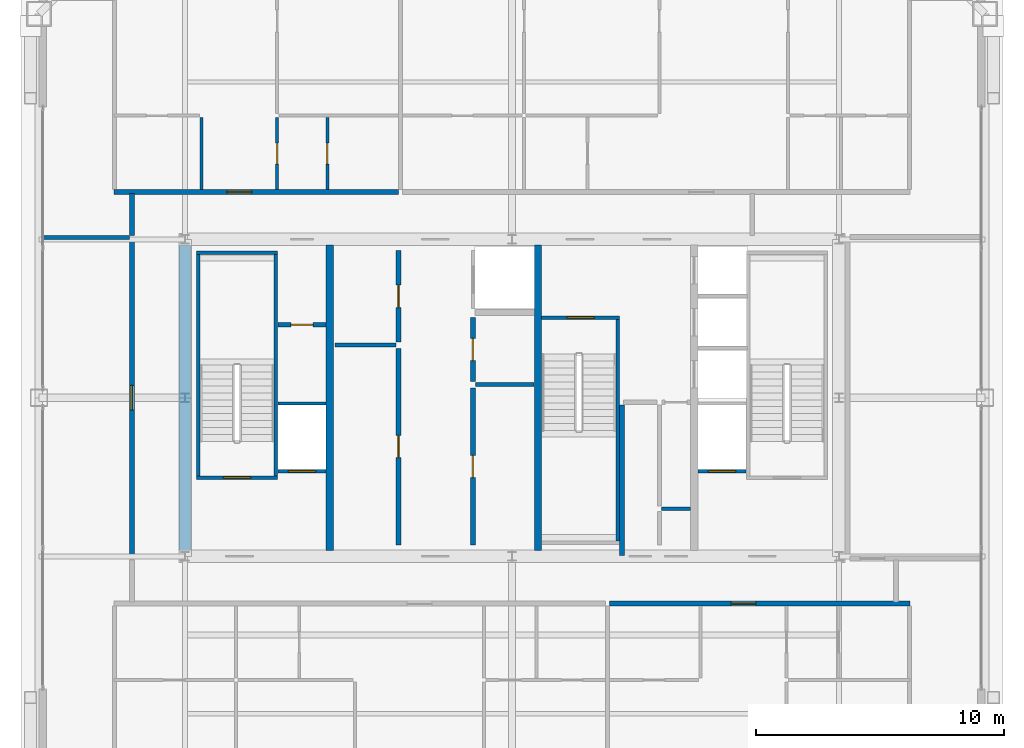
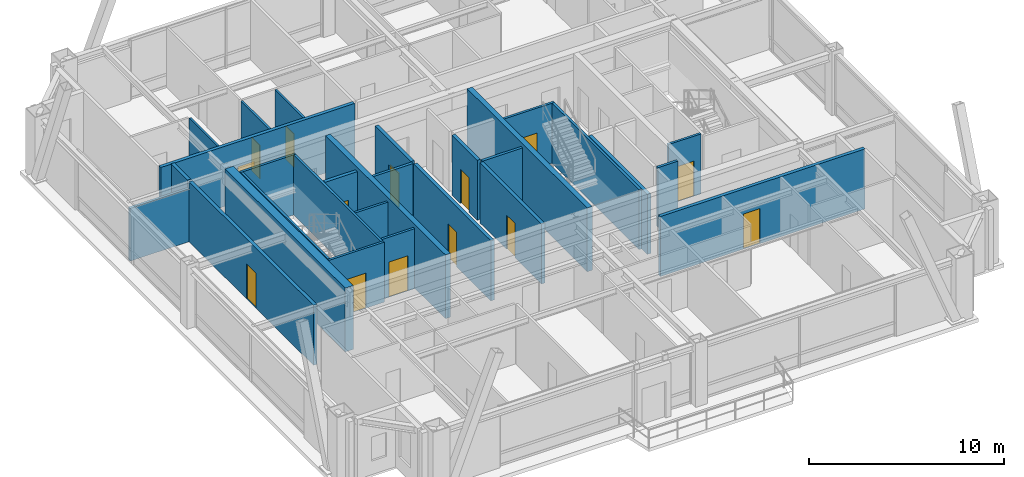
# One storey, part 31 of 35: 29 walls, 14 doors, 14 openings.
"""IFC4 building model written with IfcOpenShell, lengths in metres."""

from ifc_helpers import new_model, si_unit, direction, frame, frame_2d, origin, place, context, subcontext, project, spatial, rectangle, extrude, source, transform, mapped, material, layer, layer_set, type_object, element, fill, save


model = new_model("IFC4")

# Units and contexts
model_context = context("Model", 3, precision=1e-05, world=origin(), true_north=direction((0.0, 1.0)))
body_context = subcontext(model_context, "Body", "Model", "MODEL_VIEW")
ifc_project = project(units=[si_unit("LENGTHUNIT", "METRE"), si_unit("AREAUNIT", "SQUARE_METRE"), si_unit("VOLUMEUNIT", "CUBIC_METRE"), si_unit("PLANEANGLEUNIT", "RADIAN"), si_unit("MASSUNIT", "GRAM", prefix="KILO"), si_unit("THERMODYNAMICTEMPERATUREUNIT", "KELVIN"), si_unit("POWERUNIT", "WATT")], contexts=[model_context])

# Site, building, storey
site_placement = place(None, origin())
site = spatial("IfcSite", under=ifc_project, at=site_placement, CompositionType="ELEMENT")
building_placement = place(site_placement, origin())
building = spatial("IfcBuilding", under=site, at=building_placement, Name="Yuzanri Waterfront Tower", CompositionType="ELEMENT")
storey_placement = place(building_placement, frame((0.0, 0.0, 343.199951171875)))
storey = spatial("IfcBuildingStorey", under=building, at=storey_placement, Name="L92", CompositionType="ELEMENT", Elevation=343.199951171875)

# Wall, opening, door
ifc_material_1 = material(Name="Moisture-Resistant Gypsum Stud Wall", Category="gypsum")
ifc_layer_1 = layer(ifc_material_1, 0.1201171875)
ifc_layer_set_1 = layer_set([ifc_layer_1], Name="Moisture-Resistant Gypsum Stud Wall")
wall_type_1 = type_object("IfcWallType", Name="Bathroom and Kitchen Wet Partition 120", PredefinedType="PARTITIONING", material=ifc_layer_set_1)
wall_1_placement = place(storey_placement, frame((29.54296875, 34.2099609375, 0.0), z_axis=(0.0, 0.0, 1.0), x_axis=(0.0, 1.0, 0.0)))
wall_1 = element("IfcWall", 1, at=wall_1_placement, inside=storey, type_object=wall_type_1, Name="L92 Partition UW-L92-HN1-SUB-2-W", PredefinedType="PARTITIONING", context=body_context, shape_type="SweptSolid", body=[
    extrude(rectangle(XDim=2.900146484375, YDim=0.1201171875, at=frame_2d((1.4501953125, 0.0))), origin(), (0.0, 0.0, 1.0), 3.760009765625),
])
opening_1_placement = place(wall_1_placement, frame((1.02490234375, 0.0, 0.0)))
opening_1 = element("IfcOpeningElement", 2, at=opening_1_placement, cuts=wall_1, Name="Opening ID-0850", PredefinedType="OPENING", context=body_context, shape_type="SweptSolid", body=[
    extrude(rectangle(XDim=0.85009765625, YDim=2.10009765625, at=frame_2d((0.425048828125, 1.050048828125))), frame((0.0, 0.074951171875, 0.0), z_axis=(0.0, -1.0, 0.0), x_axis=(1.0, 0.0, 0.0)), (0.0, 0.0, 1.0), 0.14990234375),
])
ifc_material_2 = material(Name="Moisture-Resistant Lacquered Timber", Category="wood")
door_type_1 = type_object("IfcDoorType", Name="En-Suite Bathroom and Kitchen Swing Door 850x2100", OperationType="NOTDEFINED", PredefinedType="DOOR", material=ifc_material_2)
shared_shape_1 = source(origin(), body_context, "Body", "SweptSolid", [
    extrude(rectangle(XDim=0.85009765625, YDim=2.10009765625, at=frame_2d((0.425048828125, 1.050048828125))), frame((0.0, 0.02490234375, 0.0), z_axis=(0.0, -1.0, 0.0), x_axis=(1.0, 0.0, 0.0)), (0.0, 0.0, 1.0), 0.050048828125),
])
door_1_placement = place(opening_1_placement, origin())
door_1 = element("IfcDoor", 3, at=door_1_placement, inside=storey, type_object=door_type_1, Name="L92 Suite Interior Room Door", OperationType="SINGLE_SWING_LEFT", OverallHeight=2.10009765625, OverallWidth=0.85009765625, PredefinedType="DOOR", context=body_context, shape_type="MappedRepresentation", body=[
    mapped(shared_shape_1, transform((0.0, 0.0, 0.0), scale=1.0)),
])
fill(opening_1, door_1)

wall_2_placement = place(storey_placement, frame((27.52001953125, 34.2099609375, 0.0), z_axis=(0.0, 0.0, 1.0), x_axis=(0.0, 1.0, 0.0)))
wall_2 = element("IfcWall", 4, at=wall_2_placement, inside=storey, type_object=wall_type_1, Name="L92 Partition UW-L92-HN1-SUB-4-W", PredefinedType="PARTITIONING", context=body_context, shape_type="SweptSolid", body=[
    extrude(rectangle(XDim=2.900146484375, YDim=0.1201171875, at=frame_2d((1.4501953125, 0.0))), origin(), (0.0, 0.0, 1.0), 3.760009765625),
])
opening_2_placement = place(wall_2_placement, frame((1.02490234375, 0.0, 0.0)))
opening_2 = element("IfcOpeningElement", 5, at=opening_2_placement, cuts=wall_2, Name="Opening ID-0850", PredefinedType="OPENING", context=body_context, shape_type="SweptSolid", body=[
    extrude(rectangle(XDim=0.85009765625, YDim=2.10009765625, at=frame_2d((0.425048828125, 1.050048828125))), frame((0.0, 0.074951171875, 0.0), z_axis=(0.0, -1.0, 0.0), x_axis=(1.0, 0.0, 0.0)), (0.0, 0.0, 1.0), 0.14990234375),
])
door_2_placement = place(opening_2_placement, origin())
door_2 = element("IfcDoor", 6, at=door_2_placement, inside=storey, type_object=door_type_1, Name="L92 Suite Interior Room Door", OperationType="SINGLE_SWING_LEFT", OverallHeight=2.10009765625, OverallWidth=0.85009765625, PredefinedType="DOOR", context=body_context, shape_type="MappedRepresentation", body=[
    mapped(shared_shape_1, transform((0.0, 0.0, 0.0), scale=1.0)),
])
fill(opening_2, door_2)

ifc_material_3 = material(Name="Concrete C40", Category="concrete")
ifc_layer_2 = layer(ifc_material_3, 0.139892578125)
ifc_layer_set_2 = layer_set([ifc_layer_2], Name="Concrete C40")
wall_type_2 = type_object("IfcWallType", Name="Core Stair Liner and Hoistway Shaft Wall 140", PredefinedType="SOLIDWALL", material=ifc_layer_set_2)
wall_3_placement = place(storey_placement, frame((27.56005859375, 22.830078125, 0.0), z_axis=(0.0, 0.0, 1.0), x_axis=(1.0, 0.0, 0.0)))
wall_3 = element("IfcWall", 7, at=wall_3_placement, inside=storey, type_object=wall_type_2, Name="L92 Lift FL-01 Front Shaft Wall", PredefinedType="SOLIDWALL", context=body_context, shape_type="SweptSolid", body=[
    extrude(rectangle(XDim=1.919921875, YDim=0.139892578125, at=frame_2d((0.9599609375, 0.0))), origin(), (0.0, 0.0, 1.0), 3.760009765625),
])
opening_3_placement = place(wall_3_placement, frame((0.409912109375, 0.0, 0.0)))
opening_3 = element("IfcOpeningElement", 8, at=opening_3_placement, cuts=wall_3, Name="Opening LD-FL-01", PredefinedType="OPENING", context=body_context, shape_type="SweptSolid", body=[
    extrude(rectangle(XDim=1.10009765625, YDim=2.199951171875, at=frame_2d((0.550048828125, 1.10009765625))), frame((0.0, 0.0849609375, 0.0), z_axis=(0.0, -1.0, 0.0), x_axis=(1.0, 0.0, 0.0)), (0.0, 0.0, 1.0), 0.169677734375),
])
ifc_material_4 = material(Name="Brushed Bronze and Stainless Steel Cab", Category="steel")
door_type_2 = type_object("IfcDoorType", Name="Center-Parting Bronze Lift Landing Sliding Door 1100x2200", OperationType="NOTDEFINED", PredefinedType="DOOR", material=ifc_material_4)
shared_shape_2 = source(origin(), body_context, "Body", "SweptSolid", [
    extrude(rectangle(XDim=1.10009765625, YDim=2.199951171875, at=frame_2d((0.550048828125, 1.10009765625))), frame((0.0, 0.02490234375, 0.0), z_axis=(0.0, -1.0, 0.0), x_axis=(1.0, 0.0, 0.0)), (0.0, 0.0, 1.0), 0.050048828125),
])
door_3_placement = place(opening_3_placement, origin())
door_3 = element("IfcDoor", 9, at=door_3_placement, inside=storey, type_object=door_type_2, Name="L92 FL-01 Lift Landing Sliding Door", OperationType="SLIDING_TO_LEFT", OverallHeight=2.199951171875, OverallWidth=1.10009765625, PredefinedType="DOOR", context=body_context, shape_type="MappedRepresentation", body=[
    mapped(shared_shape_2, transform((0.0, 0.0, 0.0), scale=1.0)),
])
fill(opening_3, door_3)

wall_4_placement = place(storey_placement, frame((44.52001953125, 22.830078125, 0.0), z_axis=(0.0, 0.0, 1.0), x_axis=(1.0, 0.0, 0.0)))
wall_4 = element("IfcWall", 10, at=wall_4_placement, inside=storey, type_object=wall_type_2, Name="L92 Lift FL-02 Front Shaft Wall", PredefinedType="SOLIDWALL", context=body_context, shape_type="SweptSolid", body=[
    extrude(rectangle(XDim=1.919921875, YDim=0.139892578125, at=frame_2d((0.9599609375, 0.0))), origin(), (0.0, 0.0, 1.0), 3.760009765625),
])
opening_4_placement = place(wall_4_placement, frame((0.409912109375, 0.0, 0.0)))
opening_4 = element("IfcOpeningElement", 11, at=opening_4_placement, cuts=wall_4, Name="Opening LD-FL-02", PredefinedType="OPENING", context=body_context, shape_type="SweptSolid", body=[
    extrude(rectangle(XDim=1.10009765625, YDim=2.199951171875, at=frame_2d((0.550048828125, 1.10009765625))), frame((0.0, 0.0849609375, 0.0), z_axis=(0.0, -1.0, 0.0), x_axis=(1.0, 0.0, 0.0)), (0.0, 0.0, 1.0), 0.169677734375),
])
door_4_placement = place(opening_4_placement, origin())
door_4 = element("IfcDoor", 12, at=door_4_placement, inside=storey, type_object=door_type_2, Name="L92 FL-02 Lift Landing Sliding Door", OperationType="SLIDING_TO_RIGHT", OverallHeight=2.199951171875, OverallWidth=1.10009765625, PredefinedType="DOOR", context=body_context, shape_type="MappedRepresentation", body=[
    mapped(shared_shape_2, transform((0.0, 0.0, 0.0), scale=1.0)),
])
fill(opening_4, door_4)

wall_5_placement = place(storey_placement, frame((24.260009765625, 22.570068359375, 0.0), z_axis=(0.0, 0.0, 1.0), x_axis=(1.0, 0.0, 0.0)))
wall_5 = element("IfcWall", 13, at=wall_5_placement, inside=storey, type_object=wall_type_2, Name="L92 Shaft Wall STW-L92-ST-01-S", PredefinedType="SOLIDWALL", context=body_context, shape_type="SweptSolid", body=[
    extrude(rectangle(XDim=3.280029296875, YDim=0.139892578125, at=frame_2d((1.64013671875, 0.0))), origin(), (0.0, 0.0, 1.0), 3.760009765625),
])
opening_5_placement = place(wall_5_placement, frame((1.090087890625, 0.0, 0.0)))
opening_5 = element("IfcOpeningElement", 14, at=opening_5_placement, cuts=wall_5, Name="Opening FD-1100", PredefinedType="OPENING", context=body_context, shape_type="SweptSolid", body=[
    extrude(rectangle(XDim=1.10009765625, YDim=2.199951171875, at=frame_2d((0.550048828125, 1.10009765625))), frame((0.0, 0.0849609375, 0.0), z_axis=(0.0, -1.0, 0.0), x_axis=(1.0, 0.0, 0.0)), (0.0, 0.0, 1.0), 0.169677734375),
])
ifc_material_5 = material(Name="Painted Galvanized Fire Steel", Category="steel")
door_type_3 = type_object("IfcDoorType", Name="Smoke-Proof Stair and Lobby Fire Door 1100x2200", OperationType="NOTDEFINED", PredefinedType="DOOR", material=ifc_material_5)
shared_shape_3 = source(origin(), body_context, "Body", "SweptSolid", [
    extrude(rectangle(XDim=1.10009765625, YDim=2.199951171875, at=frame_2d((0.550048828125, 1.10009765625))), frame((0.0, 0.02490234375, 0.0), z_axis=(0.0, -1.0, 0.0), x_axis=(1.0, 0.0, 0.0)), (0.0, 0.0, 1.0), 0.050048828125),
])
door_5_placement = place(opening_5_placement, origin())
door_5 = element("IfcDoor", 15, at=door_5_placement, inside=storey, type_object=door_type_3, Name="L92 Stair ST-01 Fire Door", OperationType="SINGLE_SWING_RIGHT", OverallHeight=2.199951171875, OverallWidth=1.10009765625, PredefinedType="DOOR", context=body_context, shape_type="MappedRepresentation", body=[
    mapped(shared_shape_3, transform((0.0, 0.0, 0.0), scale=1.0)),
])
fill(opening_5, door_5)

wall_6_placement = place(storey_placement, frame((38.199951171875, 29.030029296875, 0.0), z_axis=(0.0, 0.0, 1.0), x_axis=(1.0, 0.0, 0.0)))
wall_6 = element("IfcWall", 16, at=wall_6_placement, inside=storey, type_object=wall_type_2, Name="L92 Shaft Wall STW-L92-ST-03-N", PredefinedType="SOLIDWALL", context=body_context, shape_type="SweptSolid", body=[
    extrude(rectangle(XDim=3.14013671875, YDim=0.139892578125, at=frame_2d((1.570068359375, 0.0))), origin(), (0.0, 0.0, 1.0), 3.760009765625),
])
opening_6_placement = place(wall_6_placement, frame((1.02001953125, 0.0, 0.0)))
opening_6 = element("IfcOpeningElement", 17, at=opening_6_placement, cuts=wall_6, Name="Opening FD-1100", PredefinedType="OPENING", context=body_context, shape_type="SweptSolid", body=[
    extrude(rectangle(XDim=1.10009765625, YDim=2.199951171875, at=frame_2d((0.550048828125, 1.10009765625))), frame((0.0, 0.0849609375, 0.0), z_axis=(0.0, -1.0, 0.0), x_axis=(1.0, 0.0, 0.0)), (0.0, 0.0, 1.0), 0.169677734375),
])
door_6_placement = place(opening_6_placement, origin())
door_6 = element("IfcDoor", 18, at=door_6_placement, inside=storey, type_object=door_type_3, Name="L92 Stair ST-03 Fire Door", OperationType="SINGLE_SWING_RIGHT", OverallHeight=2.199951171875, OverallWidth=1.10009765625, PredefinedType="DOOR", context=body_context, shape_type="MappedRepresentation", body=[
    mapped(shared_shape_3, transform((0.0, 0.0, 0.0), scale=1.0)),
])
fill(opening_6, door_6)

ifc_material_6 = material(Name="Autoclaved Aerated Concrete Blockwork", Category="masonry")
ifc_layer_3 = layer(ifc_material_6, 0.199951171875)
ifc_layer_set_3 = layer_set([ifc_layer_3], Name="Autoclaved Aerated Concrete Blockwork")
wall_type_3 = type_object("IfcWallType", Name="Corridor and Unit Party Fire Wall 200", PredefinedType="PARTITIONING", material=ifc_layer_set_3)
wall_7_placement = place(storey_placement, frame((27.56005859375, 28.75, 0.0), z_axis=(0.0, 0.0, 1.0), x_axis=(1.0, 0.0, 0.0)))
wall_7 = element("IfcWall", 19, at=wall_7_placement, inside=storey, type_object=wall_type_3, Name="L92 Partition CRW-L92-ERTR", PredefinedType="PARTITIONING", context=body_context, shape_type="SweptSolid", body=[
    extrude(rectangle(XDim=1.919921875, YDim=0.199951171875, at=frame_2d((0.9599609375, 0.0))), origin(), (0.0, 0.0, 1.0), 3.760009765625),
])
opening_7_placement = place(wall_7_placement, frame((0.510009765625, 0.0, 0.0)))
opening_7 = element("IfcOpeningElement", 20, at=opening_7_placement, cuts=wall_7, Name="Opening FD-0900", PredefinedType="OPENING", context=body_context, shape_type="SweptSolid", body=[
    extrude(rectangle(XDim=0.89990234375, YDim=2.14990234375, at=frame_2d((0.449951171875, 1.074951171875))), frame((0.0, 0.11474609375, 0.0), z_axis=(0.0, -1.0, 0.0), x_axis=(1.0, 0.0, 0.0)), (0.0, 0.0, 1.0), 0.229736328125),
])
ifc_material_7 = material(Name="Painted Galvanized Fire Steel", Category="steel")
door_type_4 = type_object("IfcDoorType", Name="Riser and Service Room Fire Door 900x2150", OperationType="NOTDEFINED", PredefinedType="DOOR", material=ifc_material_7)
shared_shape_4 = source(origin(), body_context, "Body", "SweptSolid", [
    extrude(rectangle(XDim=0.89990234375, YDim=2.14990234375, at=frame_2d((0.449951171875, 1.074951171875))), frame((0.0, 0.02490234375, 0.0), z_axis=(0.0, -1.0, 0.0), x_axis=(1.0, 0.0, 0.0)), (0.0, 0.0, 1.0), 0.050048828125),
])
door_7_placement = place(opening_7_placement, origin())
door_7 = element("IfcDoor", 21, at=door_7_placement, inside=storey, type_object=door_type_4, Name="L92 Electrical Riser Door", OperationType="SINGLE_SWING_RIGHT", OverallHeight=2.14990234375, OverallWidth=0.89990234375, PredefinedType="DOOR", context=body_context, shape_type="MappedRepresentation", body=[
    mapped(shared_shape_4, transform((0.0, 0.0, 0.0), scale=1.0)),
])
fill(opening_7, door_7)

wall_8_placement = place(storey_placement, frame((32.419921875, 19.860107421875, 0.0), z_axis=(0.0, 0.0, 1.0), x_axis=(0.0, 1.0, 0.0)))
wall_8 = element("IfcWall", 22, at=wall_8_placement, inside=storey, type_object=wall_type_3, Name="L92 Partition CRW-L92-B1R-1", PredefinedType="PARTITIONING", context=body_context, shape_type="SweptSolid", body=[
    extrude(rectangle(XDim=7.93994140625, YDim=0.199951171875, at=frame_2d((3.969970703125, 0.0))), origin(), (0.0, 0.0, 1.0), 3.760009765625),
])
opening_8_placement = place(wall_8_placement, frame((3.52001953125, 0.0, 0.0)))
opening_8 = element("IfcOpeningElement", 23, at=opening_8_placement, cuts=wall_8, Name="Opening FD-0900", PredefinedType="OPENING", context=body_context, shape_type="SweptSolid", body=[
    extrude(rectangle(XDim=0.89990234375, YDim=2.14990234375, at=frame_2d((0.449951171875, 1.074951171875))), frame((0.0, 0.11474609375, 0.0), z_axis=(0.0, -1.0, 0.0), x_axis=(1.0, 0.0, 0.0)), (0.0, 0.0, 1.0), 0.229736328125),
])
door_8_placement = place(opening_8_placement, origin())
door_8 = element("IfcDoor", 24, at=door_8_placement, inside=storey, type_object=door_type_4, Name="L92 General Store Room", OperationType="SINGLE_SWING_LEFT", OverallHeight=2.14990234375, OverallWidth=0.89990234375, PredefinedType="DOOR", context=body_context, shape_type="MappedRepresentation", body=[
    mapped(shared_shape_4, transform((0.0, 0.0, 0.0), scale=1.0)),
])
fill(opening_8, door_8)

wall_9_placement = place(storey_placement, frame((32.419921875, 28.050048828125, 0.0), z_axis=(0.0, 0.0, 1.0), x_axis=(0.0, 1.0, 0.0)))
wall_9 = element("IfcWall", 25, at=wall_9_placement, inside=storey, type_object=wall_type_3, Name="L92 Partition CRW-L92-B1R-2", PredefinedType="PARTITIONING", context=body_context, shape_type="SweptSolid", body=[
    extrude(rectangle(XDim=3.68994140625, YDim=0.199951171875, at=frame_2d((1.844970703125, 0.0))), origin(), (0.0, 0.0, 1.0), 3.760009765625),
])
opening_9_placement = place(wall_9_placement, frame((1.39501953125, 0.0, 0.0)))
opening_9 = element("IfcOpeningElement", 26, at=opening_9_placement, cuts=wall_9, Name="Opening FD-0900", PredefinedType="OPENING", context=body_context, shape_type="SweptSolid", body=[
    extrude(rectangle(XDim=0.89990234375, YDim=2.14990234375, at=frame_2d((0.449951171875, 1.074951171875))), frame((0.0, 0.11474609375, 0.0), z_axis=(0.0, -1.0, 0.0), x_axis=(1.0, 0.0, 0.0)), (0.0, 0.0, 1.0), 0.229736328125),
])
door_9_placement = place(opening_9_placement, origin())
door_9 = element("IfcDoor", 27, at=door_9_placement, inside=storey, type_object=door_type_4, Name="L92 Water Riser Shaft", OperationType="SINGLE_SWING_RIGHT", OverallHeight=2.14990234375, OverallWidth=0.89990234375, PredefinedType="DOOR", context=body_context, shape_type="MappedRepresentation", body=[
    mapped(shared_shape_4, transform((0.0, 0.0, 0.0), scale=1.0)),
])
fill(opening_9, door_9)

wall_10_placement = place(storey_placement, frame((35.419921875, 19.860107421875, 0.0), z_axis=(0.0, 0.0, 1.0), x_axis=(0.0, 1.0, 0.0)))
wall_10 = element("IfcWall", 28, at=wall_10_placement, inside=storey, type_object=wall_type_3, Name="L92 Partition CRW-L92-B2R-1", PredefinedType="PARTITIONING", context=body_context, shape_type="SweptSolid", body=[
    extrude(rectangle(XDim=6.33984375, YDim=0.199951171875, at=frame_2d((3.169921875, 0.0))), origin(), (0.0, 0.0, 1.0), 3.760009765625),
])
opening_10_placement = place(wall_10_placement, frame((2.719970703125, 0.0, 0.0)))
opening_10 = element("IfcOpeningElement", 29, at=opening_10_placement, cuts=wall_10, Name="Opening FD-0900", PredefinedType="OPENING", context=body_context, shape_type="SweptSolid", body=[
    extrude(rectangle(XDim=0.89990234375, YDim=2.14990234375, at=frame_2d((0.449951171875, 1.074951171875))), frame((0.0, 0.11474609375, 0.0), z_axis=(0.0, -1.0, 0.0), x_axis=(1.0, 0.0, 0.0)), (0.0, 0.0, 1.0), 0.229736328125),
])
door_10_placement = place(opening_10_placement, origin())
door_10 = element("IfcDoor", 30, at=door_10_placement, inside=storey, type_object=door_type_4, Name="L92 Upper Service Store Room", OperationType="SINGLE_SWING_LEFT", OverallHeight=2.14990234375, OverallWidth=0.89990234375, PredefinedType="DOOR", context=body_context, shape_type="MappedRepresentation", body=[
    mapped(shared_shape_4, transform((0.0, 0.0, 0.0), scale=1.0)),
])
fill(opening_10, door_10)

wall_11_placement = place(storey_placement, frame((35.419921875, 26.449951171875, 0.0), z_axis=(0.0, 0.0, 1.0), x_axis=(0.0, 1.0, 0.0)))
wall_11 = element("IfcWall", 31, at=wall_11_placement, inside=storey, type_object=wall_type_3, Name="L92 Partition CRW-L92-B2R-2", PredefinedType="PARTITIONING", context=body_context, shape_type="SweptSolid", body=[
    extrude(rectangle(XDim=2.60009765625, YDim=0.199951171875, at=frame_2d((1.300048828125, 0.0))), origin(), (0.0, 0.0, 1.0), 3.760009765625),
])
opening_11_placement = place(wall_11_placement, frame((0.85009765625, 0.0, 0.0)))
opening_11 = element("IfcOpeningElement", 32, at=opening_11_placement, cuts=wall_11, Name="Opening FD-0900", PredefinedType="OPENING", context=body_context, shape_type="SweptSolid", body=[
    extrude(rectangle(XDim=0.89990234375, YDim=2.14990234375, at=frame_2d((0.449951171875, 1.074951171875))), frame((0.0, 0.11474609375, 0.0), z_axis=(0.0, -1.0, 0.0), x_axis=(1.0, 0.0, 0.0)), (0.0, 0.0, 1.0), 0.229736328125),
])
door_11_placement = place(opening_11_placement, origin())
door_11 = element("IfcDoor", 33, at=door_11_placement, inside=storey, type_object=door_type_4, Name="L92 Meter and Valve Store Room", OperationType="SINGLE_SWING_RIGHT", OverallHeight=2.14990234375, OverallWidth=0.89990234375, PredefinedType="DOOR", context=body_context, shape_type="MappedRepresentation", body=[
    mapped(shared_shape_4, transform((0.0, 0.0, 0.0), scale=1.0)),
])
fill(opening_11, door_11)

wall_12_placement = place(storey_placement, frame((40.93408203125, 17.489990234375, 0.0), z_axis=(0.0, 0.0, 1.0), x_axis=(1.0, 0.0, 0.0)))
wall_12 = element("IfcWall", 34, at=wall_12_placement, inside=storey, type_object=wall_type_3, Name="L92 Partition UW-L92-HS2-CN", PredefinedType="PARTITIONING", context=body_context, shape_type="SweptSolid", body=[
    extrude(rectangle(XDim=12.1259765625, YDim=0.199951171875, at=frame_2d((6.06298828125, 0.0))), origin(), (0.0, 0.0, 1.0), 3.760009765625),
])
opening_12_placement = place(wall_12_placement, frame((4.9140625, 0.0, 0.0)))
opening_12 = element("IfcOpeningElement", 35, at=opening_12_placement, cuts=wall_12, Name="Opening FD-1000", PredefinedType="OPENING", context=body_context, shape_type="SweptSolid", body=[
    extrude(rectangle(XDim=1.0, YDim=2.199951171875, at=frame_2d((0.5, 1.10009765625))), frame((0.0, 0.11474609375, 0.0), z_axis=(0.0, -1.0, 0.0), x_axis=(1.0, 0.0, 0.0)), (0.0, 0.0, 1.0), 0.229736328125),
])
ifc_material_8 = material(Name="Engineered Oak Fire-Rated Timber", Category="wood")
door_type_5 = type_object("IfcDoorType", Name="Guestroom and Apartment Entrance Fire Door 1000x2200", OperationType="NOTDEFINED", PredefinedType="DOOR", material=ifc_material_8)
shared_shape_5 = source(origin(), body_context, "Body", "SweptSolid", [
    extrude(rectangle(XDim=1.0, YDim=2.199951171875, at=frame_2d((0.5, 1.10009765625))), frame((0.0, 0.02490234375, 0.0), z_axis=(0.0, -1.0, 0.0), x_axis=(1.0, 0.0, 0.0)), (0.0, 0.0, 1.0), 0.050048828125),
])
door_12_placement = place(opening_12_placement, origin())
door_12 = element("IfcDoor", 36, at=door_12_placement, inside=storey, type_object=door_type_5, Name="L92 Apartment Living Room Entrance Door", OperationType="SINGLE_SWING_RIGHT", OverallHeight=2.199951171875, OverallWidth=1.0, PredefinedType="DOOR", context=body_context, shape_type="MappedRepresentation", body=[
    mapped(shared_shape_5, transform((0.0, 0.0, 0.0), scale=1.0)),
])
fill(opening_12, door_12)

wall_13_placement = place(storey_placement, frame((20.93994140625, 34.110107421875, 0.0), z_axis=(0.0, 0.0, 1.0), x_axis=(1.0, 0.0, 0.0)))
wall_13 = element("IfcWall", 37, at=wall_13_placement, inside=storey, type_object=wall_type_3, Name="L92 Partition UW-L92-HN1-CS", PredefinedType="PARTITIONING", context=body_context, shape_type="SweptSolid", body=[
    extrude(rectangle(XDim=11.483154296875, YDim=0.199951171875, at=frame_2d((5.74169921875, 0.0))), origin(), (0.0, 0.0, 1.0), 3.760009765625),
])
opening_13_placement = place(wall_13_placement, frame((4.552001953125, 0.0, 0.0)))
opening_13 = element("IfcOpeningElement", 38, at=opening_13_placement, cuts=wall_13, Name="Opening FD-1000", PredefinedType="OPENING", context=body_context, shape_type="SweptSolid", body=[
    extrude(rectangle(XDim=1.0, YDim=2.199951171875, at=frame_2d((0.5, 1.10009765625))), frame((0.0, 0.11474609375, 0.0), z_axis=(0.0, -1.0, 0.0), x_axis=(1.0, 0.0, 0.0)), (0.0, 0.0, 1.0), 0.229736328125),
])
door_13_placement = place(opening_13_placement, origin())
door_13 = element("IfcDoor", 39, at=door_13_placement, inside=storey, type_object=door_type_5, Name="L92 Apartment Living Room Entrance Door", OperationType="SINGLE_SWING_LEFT", OverallHeight=2.199951171875, OverallWidth=1.0, PredefinedType="DOOR", context=body_context, shape_type="MappedRepresentation", body=[
    mapped(shared_shape_5, transform((0.0, 0.0, 0.0), scale=1.0)),
])
fill(opening_13, door_13)

wall_14_placement = place(storey_placement, frame((21.64990234375, 19.409912109375, 0.0), z_axis=(0.0, 0.0, 1.0), x_axis=(0.0, 1.0, 0.0)))
wall_14 = element("IfcWall", 40, at=wall_14_placement, inside=storey, type_object=wall_type_3, Name="L92 Partition UW-L92-047-CW", PredefinedType="PARTITIONING", context=body_context, shape_type="SweptSolid", body=[
    extrude(rectangle(XDim=12.780029296875, YDim=0.199951171875, at=frame_2d((6.39013671875, 0.0))), origin(), (0.0, 0.0, 1.0), 3.760009765625),
])
opening_14_placement = place(wall_14_placement, frame((5.889892578125, 0.0, 0.0)))
opening_14 = element("IfcOpeningElement", 41, at=opening_14_placement, cuts=wall_14, Name="Opening FD-1000", PredefinedType="OPENING", context=body_context, shape_type="SweptSolid", body=[
    extrude(rectangle(XDim=1.0, YDim=2.199951171875, at=frame_2d((0.5, 1.10009765625))), frame((0.0, 0.11474609375, 0.0), z_axis=(0.0, -1.0, 0.0), x_axis=(1.0, 0.0, 0.0)), (0.0, 0.0, 1.0), 0.229736328125),
])
door_14_placement = place(opening_14_placement, origin())
door_14 = element("IfcDoor", 42, at=door_14_placement, inside=storey, type_object=door_type_5, Name="L92 High-Rise W Horizon Club Room Entrance Door", OperationType="SINGLE_SWING_RIGHT", OverallHeight=2.199951171875, OverallWidth=1.0, PredefinedType="DOOR", context=body_context, shape_type="MappedRepresentation", body=[
    mapped(shared_shape_5, transform((0.0, 0.0, 0.0), scale=1.0)),
])
fill(opening_14, door_14)

# Walls
ifc_material_9 = material(Name="Concrete C45", Category="concrete")
ifc_layer_4 = layer(ifc_material_9, 0.47998046875)
ifc_layer_set_4 = layer_set([ifc_layer_4], Name="Concrete C45")
wall_type_4 = type_object("IfcWallType", Name="Concrete C45 High-Rise Core Shear Wall 480", PredefinedType="SHEAR", material=ifc_layer_set_4)
shared_shape_6 = source(origin(), body_context, "Body", "SweptSolid", [
    extrude(rectangle(XDim=12.320068359375, YDim=0.47998046875, at=frame_2d((6.16015625, 0.0))), origin(), (0.0, 0.0, 1.0), 4.0),
])
wall_15_placement = place(storey_placement, frame((23.800048828125, 19.639892578125, 0.0), z_axis=(0.0, 0.0, 1.0), x_axis=(0.0, 1.0, 0.0)))
element("IfcWall", 43, at=wall_15_placement, inside=storey, type_object=wall_type_4, Name="L92 Core West Shear Wall", PredefinedType="SHEAR", context=body_context, shape_type="MappedRepresentation", body=[
    mapped(shared_shape_6, transform((0.0, 0.0, 0.0), scale=1.0)),
])
ifc_material_10 = material(Name="Concrete C50", Category="concrete")
ifc_layer_5 = layer(ifc_material_10, 0.300048828125)
ifc_layer_set_5 = layer_set([ifc_layer_5], Name="Concrete C50")
wall_type_5 = type_object("IfcWallType", Name="Concrete C50 Internal Core Shaft Structural Wall 300", PredefinedType="SOLIDWALL", material=ifc_layer_set_5)
shared_shape_7 = source(origin(), body_context, "Body", "SweptSolid", [
    extrude(rectangle(XDim=12.320068359375, YDim=0.300048828125, at=frame_2d((6.16015625, 0.0))), origin(), (0.0, 0.0, 1.0), 4.0),
])
for number, where, z_axis, x_axis, name in (
    (44, (29.64990234375, 19.639892578125, 0.0), (0.0, 0.0, 1.0), (0.0, 1.0, 0.0), "L92 Core Internal Structural Web Wall 1"),
    (45, (38.050048828125, 19.639892578125, 0.0), (0.0, 0.0, 1.0), (0.0, 1.0, 0.0), "L92 Core Internal Structural Web Wall 2"),
):
    element("IfcWall", number, at=place(storey_placement, frame(where, z_axis=z_axis, x_axis=x_axis)), inside=storey, type_object=wall_type_5, Name=name, PredefinedType="SOLIDWALL", context=body_context, shape_type="MappedRepresentation", body=[
        mapped(shared_shape_7, transform((0.0, 0.0, 0.0), scale=1.0)),
    ])
shared_shape_8 = source(origin(), body_context, "Body", "SweptSolid", [
    extrude(rectangle(XDim=1.919921875, YDim=0.139892578125, at=frame_2d((0.9599609375, 0.0))), origin(), (0.0, 0.0, 1.0), 3.760009765625),
])
wall_16_placement = place(storey_placement, frame((27.56005859375, 25.570068359375, 0.0), z_axis=(0.0, 0.0, 1.0), x_axis=(1.0, 0.0, 0.0)))
element("IfcWall", 46, at=wall_16_placement, inside=storey, type_object=wall_type_2, Name="L92 Lift FL-01 Back Shaft Wall", PredefinedType="SOLIDWALL", context=body_context, shape_type="MappedRepresentation", body=[
    mapped(shared_shape_8, transform((0.0, 0.0, 0.0), scale=1.0)),
])
shared_shape_9 = source(origin(), body_context, "Body", "SweptSolid", [
    extrude(rectangle(XDim=3.280029296875, YDim=0.139892578125, at=frame_2d((1.64013671875, 0.0))), origin(), (0.0, 0.0, 1.0), 3.760009765625),
])
wall_17_placement = place(storey_placement, frame((24.260009765625, 31.64990234375, 0.0), z_axis=(0.0, 0.0, 1.0), x_axis=(1.0, 0.0, 0.0)))
element("IfcWall", 47, at=wall_17_placement, inside=storey, type_object=wall_type_2, Name="L92 Stair ST-01 North Shaft Wall", PredefinedType="SOLIDWALL", context=body_context, shape_type="MappedRepresentation", body=[
    mapped(shared_shape_9, transform((0.0, 0.0, 0.0), scale=1.0)),
])
shared_shape_10 = source(origin(), body_context, "Body", "SweptSolid", [
    extrude(rectangle(XDim=8.940185546875, YDim=0.139892578125, at=frame_2d((4.47021484375, 0.0))), origin(), (0.0, 0.0, 1.0), 3.760009765625),
])
for number, where, z_axis, x_axis, name in (
    (48, (24.330078125, 22.639892578125, 0.0), (0.0, 0.0, 1.0), (0.0, 1.0, 0.0), "L92 Stair ST-01 West Shaft Wall"),
    (49, (27.469970703125, 22.639892578125, 0.0), (0.0, 0.0, 1.0), (0.0, 1.0, 0.0), "L92 Stair ST-01 East Shaft Wall"),
):
    element("IfcWall", number, at=place(storey_placement, frame(where, z_axis=z_axis, x_axis=x_axis)), inside=storey, type_object=wall_type_2, Name=name, PredefinedType="SOLIDWALL", context=body_context, shape_type="MappedRepresentation", body=[
        mapped(shared_shape_10, transform((0.0, 0.0, 0.0), scale=1.0)),
    ])
shared_shape_11 = source(origin(), body_context, "Body", "SweptSolid", [
    extrude(rectangle(XDim=8.93994140625, YDim=0.139892578125, at=frame_2d((4.469970703125, 0.0))), origin(), (0.0, 0.0, 1.0), 3.760009765625),
])
wall_18_placement = place(storey_placement, frame((41.27001953125, 20.02001953125, 0.0), z_axis=(0.0, 0.0, 1.0), x_axis=(0.0, 1.0, 0.0)))
element("IfcWall", 50, at=wall_18_placement, inside=storey, type_object=wall_type_2, Name="L92 Stair ST-03 East Shaft Wall", PredefinedType="SOLIDWALL", context=body_context, shape_type="MappedRepresentation", body=[
    mapped(shared_shape_11, transform((0.0, 0.0, 0.0), scale=1.0)),
])
ifc_material_11 = material(Name="Gypsum Fireboard Acoustic Stud Wall", Category="gypsum")
ifc_layer_6 = layer(ifc_material_11, 0.159912109375)
ifc_layer_set_6 = layer_set([ifc_layer_6], Name="Gypsum Fireboard Acoustic Stud Wall")
wall_type_6 = type_object("IfcWallType", Name="Acoustic Suite Demising Partition 160", PredefinedType="PARTITIONING", material=ifc_layer_set_6)
shared_shape_12 = source(origin(), body_context, "Body", "SweptSolid", [
    extrude(rectangle(XDim=2.469970703125, YDim=0.159912109375, at=frame_2d((1.23486328125, 0.0))), origin(), (0.0, 0.0, 1.0), 3.760009765625),
])
wall_19_placement = place(storey_placement, frame((29.85009765625, 27.929931640625, 0.0), z_axis=(0.0, 0.0, 1.0), x_axis=(1.0, 0.0, 0.0)))
element("IfcWall", 51, at=wall_19_placement, inside=storey, type_object=wall_type_6, Name="L92 Reclaimed Core Divider 2", PredefinedType="PARTITIONING", context=body_context, shape_type="MappedRepresentation", body=[
    mapped(shared_shape_12, transform((0.0, 0.0, 0.0), scale=1.0)),
])
shared_shape_13 = source(origin(), body_context, "Body", "SweptSolid", [
    extrude(rectangle(XDim=2.35986328125, YDim=0.159912109375, at=frame_2d((1.179931640625, 0.0))), origin(), (0.0, 0.0, 1.0), 3.760009765625),
])
wall_20_placement = place(storey_placement, frame((35.52001953125, 26.330078125, 0.0), z_axis=(0.0, 0.0, 1.0), x_axis=(1.0, 0.0, 0.0)))
element("IfcWall", 52, at=wall_20_placement, inside=storey, type_object=wall_type_6, Name="L92 Reclaimed High-Zone Divider 2", PredefinedType="PARTITIONING", context=body_context, shape_type="MappedRepresentation", body=[
    mapped(shared_shape_13, transform((0.0, 0.0, 0.0), scale=1.0)),
])
shared_shape_14 = source(origin(), body_context, "Body", "SweptSolid", [
    extrude(rectangle(XDim=1.169921875, YDim=0.159912109375, at=frame_2d((0.5849609375, 0.0))), origin(), (0.0, 0.0, 1.0), 3.760009765625),
])
wall_21_placement = place(storey_placement, frame((43.030029296875, 21.320068359375, 0.0), z_axis=(0.0, 0.0, 1.0), x_axis=(1.0, 0.0, 0.0)))
element("IfcWall", 53, at=wall_21_placement, inside=storey, type_object=wall_type_6, Name="L92 East Wet Riser North Wall", PredefinedType="PARTITIONING", context=body_context, shape_type="MappedRepresentation", body=[
    mapped(shared_shape_14, transform((0.0, 0.0, 0.0), scale=1.0)),
])
shared_shape_15 = source(origin(), body_context, "Body", "SweptSolid", [
    extrude(rectangle(XDim=6.06005859375, YDim=0.199951171875, at=frame_2d((3.030029296875, 0.0))), origin(), (0.0, 0.0, 1.0), 3.760009765625),
])
wall_22_placement = place(storey_placement, frame((41.449951171875, 19.43994140625, 0.0), z_axis=(0.0, 0.0, 1.0), x_axis=(0.0, 1.0, 0.0)))
element("IfcWall", 54, at=wall_22_placement, inside=storey, type_object=wall_type_3, Name="L92 Core BOH West Wall 1", PredefinedType="PARTITIONING", context=body_context, shape_type="MappedRepresentation", body=[
    mapped(shared_shape_15, transform((0.0, 0.0, 0.0), scale=1.0)),
])
shared_shape_16 = source(origin(), body_context, "Body", "SweptSolid", [
    extrude(rectangle(XDim=1.699951171875, YDim=0.199951171875, at=frame_2d((0.85009765625, 0.0))), origin(), (0.0, 0.0, 1.0), 3.760009765625),
])
wall_23_placement = place(storey_placement, frame((21.64990234375, 32.35009765625, 0.0), z_axis=(0.0, 0.0, 1.0), x_axis=(0.0, 1.0, 0.0)))
element("IfcWall", 55, at=wall_23_placement, inside=storey, type_object=wall_type_3, Name="L92 North Foyer West End Wall", PredefinedType="PARTITIONING", context=body_context, shape_type="MappedRepresentation", body=[
    mapped(shared_shape_16, transform((0.0, 0.0, 0.0), scale=1.0)),
])
shared_shape_17 = source(origin(), body_context, "Body", "SweptSolid", [
    extrude(rectangle(XDim=3.5, YDim=0.159912109375, at=frame_2d((1.75, 0.0))), origin(), (0.0, 0.0, 1.0), 3.304931640625),
])
wall_24_placement = place(storey_placement, frame((18.050048828125, 32.27001953125, 0.0), z_axis=(0.0, 0.0, 1.0), x_axis=(1.0, 0.0, 0.0)))
element("IfcWall", 56, at=wall_24_placement, inside=storey, type_object=wall_type_6, Name="L92-047 Wing North End Wall", PredefinedType="PARTITIONING", context=body_context, shape_type="MappedRepresentation", body=[
    mapped(shared_shape_17, transform((0.0, 0.0, 0.0), scale=1.0)),
])
shared_shape_18 = source(origin(), body_context, "Body", "SweptSolid", [
    extrude(rectangle(XDim=2.900146484375, YDim=0.1201171875, at=frame_2d((1.4501953125, 0.0))), origin(), (0.0, 0.0, 1.0), 3.760009765625),
])
wall_25_placement = place(storey_placement, frame((24.465087890625, 34.2099609375, 0.0), z_axis=(0.0, 0.0, 1.0), x_axis=(0.0, 1.0, 0.0)))
element("IfcWall", 57, at=wall_25_placement, inside=storey, type_object=wall_type_1, Name="L92 Partition UW-L92-HN1-SUB-1-E", PredefinedType="PARTITIONING", context=body_context, shape_type="MappedRepresentation", body=[
    mapped(shared_shape_18, transform((0.0, 0.0, 0.0), scale=1.0)),
])

save(model, "model.ifc")
